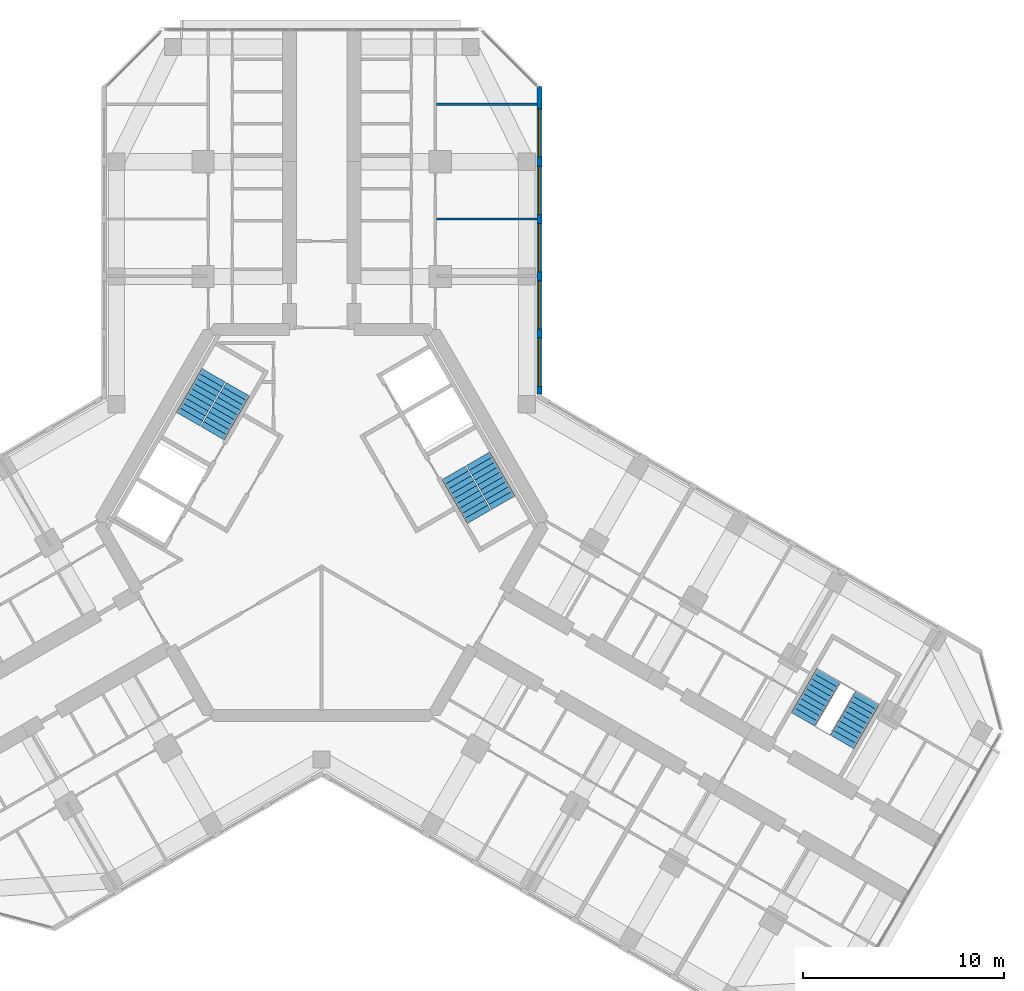
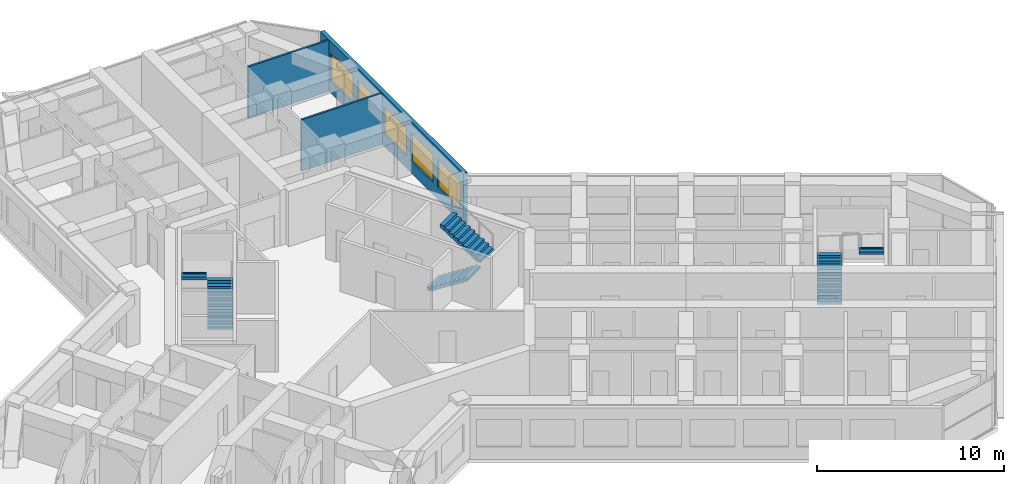
# One storey, part 15 of 16: 6 stair flights, 5 windows, 3 walls, 5 openings, 3 elements without a shape of their own.
"""IFC4 building model written with IfcOpenShell, lengths in metres."""

from ifc_helpers import new_model, si_unit, direction, frame, frame_2d, origin, place, context, subcontext, project, spatial, polyline, rectangle, outline, extrude, material, layer, layer_set, type_object, element, fill, aggregate, save


model = new_model("IFC4")

# Units and contexts
model_context = context("Model", 3, precision=1e-05, world=origin(), true_north=direction((0.0, 1.0)))
body_context = subcontext(model_context, "Body", "Model", "MODEL_VIEW")
ifc_project = project(units=[si_unit("LENGTHUNIT", "METRE"), si_unit("AREAUNIT", "SQUARE_METRE"), si_unit("VOLUMEUNIT", "CUBIC_METRE"), si_unit("PLANEANGLEUNIT", "RADIAN"), si_unit("MASSUNIT", "GRAM", prefix="KILO")], contexts=[model_context])

# Site, building, storey
site_placement = place(None, origin())
site = spatial("IfcSite", under=ifc_project, at=site_placement, CompositionType="ELEMENT")
building_placement = place(site_placement, origin())
building = spatial("IfcBuilding", under=site, at=building_placement, Name="Kosmar Iwan School Tower", CompositionType="ELEMENT")
storey_placement = place(building_placement, frame((0.0, 0.0, 231.60009765625)))
storey = spatial("IfcBuildingStorey", under=building, at=storey_placement, Name="L58", CompositionType="ELEMENT", Elevation=231.60009765625)

# Walls
ifc_material_1 = material(Name="Gypsum board on steel studs", Category="steel")
ifc_layer_1 = layer(ifc_material_1, 0.1201171875)
ifc_layer_set_1 = layer_set([ifc_layer_1], Name="Dwelling partition 120")
wall_type_1 = type_object("IfcWallType", Name="Dwelling partition 120", PredefinedType="PARTITIONING", material=ifc_layer_set_1)
for number, where, z_axis, x_axis, name in (
    (1, (5.7099609375, 15.10009765625, 0.0), (0.0, 0.0, 1.0), (1.0, 0.0, 0.0), "Partition L58-AR1-X2"),
    (2, (5.7099609375, 20.800048828125, 0.0), (0.0, 0.0, 1.0), (1.0, 0.0, 0.0), "Partition L58-AR1-X3"),
):
    element("IfcWall", number, at=place(storey_placement, frame(where, z_axis=z_axis, x_axis=x_axis)), inside=storey, type_object=wall_type_1, Name=name, PredefinedType="PARTITIONING", context=body_context, shape_type="SweptSolid", body=[
        extrude(rectangle(XDim=4.989990234375, YDim=0.1201171875, at=frame_2d((2.4951171875, 0.0))), origin(), (0.0, 0.0, 1.0), 3.349853515625),
    ])

# Wall, openings, windows
ifc_material_2 = material(Name="Black aluminium rainscreen on insulated framing", Category="aluminium")
ifc_layer_2 = layer(ifc_material_2, 0.25)
ifc_layer_set_2 = layer_set([ifc_layer_2], Name="External wall rainscreen 250")
wall_type_2 = type_object("IfcWallType", Name="External wall rainscreen 250", PredefinedType="SOLIDWALL", material=ifc_layer_set_2)
wall_placement = place(storey_placement, frame((10.824951171875, 6.408935546875, 0.0), z_axis=(0.0, 0.0, 1.0), x_axis=(0.0, 1.0, 0.0)))
wall = element("IfcWall", 3, at=wall_placement, inside=storey, type_object=wall_type_2, Name="External wall AR L58", PredefinedType="SOLIDWALL", context=body_context, shape_type="SweptSolid", body=[
    extrude(rectangle(XDim=15.2763671875, YDim=0.25, at=frame_2d((7.63818359375, 0.0))), origin(), (0.0, 0.0, 1.0), 3.349853515625),
])
opening_1_placement = place(wall_placement, frame((0.365966796875, 0.0, 0.800048828125)))
opening_1 = element("IfcOpeningElement", 4, at=opening_1_placement, cuts=wall, Name="Opening W5", PredefinedType="OPENING", context=body_context, shape_type="SweptSolid", body=[
    extrude(rectangle(XDim=2.39990234375, YDim=1.800048828125, at=frame_2d((1.199951171875, 0.89990234375))), frame((0.0, 0.136962890625, 0.0), z_axis=(0.0, -1.0, 0.0), x_axis=(1.0, 0.0, 0.0)), (0.0, 0.0, 1.0), 0.27392578125),
])
opening_2_placement = place(wall_placement, frame((3.216064453125, 0.0, 0.800048828125)))
opening_2 = element("IfcOpeningElement", 5, at=opening_2_placement, cuts=wall, Name="Opening W5", PredefinedType="OPENING", context=body_context, shape_type="SweptSolid", body=[
    extrude(rectangle(XDim=2.39990234375, YDim=1.800048828125, at=frame_2d((1.199951171875, 0.89990234375))), frame((0.0, 0.136962890625, 0.0), z_axis=(0.0, -1.0, 0.0), x_axis=(1.0, 0.0, 0.0)), (0.0, 0.0, 1.0), 0.27392578125),
])
opening_3_placement = place(wall_placement, frame((6.06591796875, 0.0, 0.800048828125)))
opening_3 = element("IfcOpeningElement", 6, at=opening_3_placement, cuts=wall, Name="Opening W5", PredefinedType="OPENING", context=body_context, shape_type="SweptSolid", body=[
    extrude(rectangle(XDim=2.39990234375, YDim=1.800048828125, at=frame_2d((1.199951171875, 0.89990234375))), frame((0.0, 0.136962890625, 0.0), z_axis=(0.0, -1.0, 0.0), x_axis=(1.0, 0.0, 0.0)), (0.0, 0.0, 1.0), 0.27392578125),
])
opening_4_placement = place(wall_placement, frame((8.916015625, 0.0, 0.800048828125)))
opening_4 = element("IfcOpeningElement", 7, at=opening_4_placement, cuts=wall, Name="Opening W5", PredefinedType="OPENING", context=body_context, shape_type="SweptSolid", body=[
    extrude(rectangle(XDim=2.39990234375, YDim=1.800048828125, at=frame_2d((1.199951171875, 0.89990234375))), frame((0.0, 0.136962890625, 0.0), z_axis=(0.0, -1.0, 0.0), x_axis=(1.0, 0.0, 0.0)), (0.0, 0.0, 1.0), 0.27392578125),
])
opening_5_placement = place(wall_placement, frame((11.76611328125, 0.0, 0.800048828125)))
opening_5 = element("IfcOpeningElement", 8, at=opening_5_placement, cuts=wall, Name="Opening W5", PredefinedType="OPENING", context=body_context, shape_type="SweptSolid", body=[
    extrude(rectangle(XDim=2.39990234375, YDim=1.800048828125, at=frame_2d((1.199951171875, 0.89990234375))), frame((0.0, 0.136962890625, 0.0), z_axis=(0.0, -1.0, 0.0), x_axis=(1.0, 0.0, 0.0)), (0.0, 0.0, 1.0), 0.27392578125),
])
ifc_material_3 = material(Name="Black aluminium frame with dark triple glazing", Category="aluminium")
window_type = type_object("IfcWindowType", Name="Window 2400x1800", PartitioningType="SINGLE_PANEL", PredefinedType="WINDOW", material=ifc_material_3)
window_1_placement = place(opening_1_placement, origin())
window_1 = element("IfcWindow", 9, at=window_1_placement, inside=storey, type_object=window_type, Name="Window AR L58 -1", OverallHeight=1.800048828125, OverallWidth=2.39990234375, PartitioningType="SINGLE_PANEL", PredefinedType="WINDOW", context=body_context, shape_type="SweptSolid", body=[
    extrude(rectangle(XDim=2.39990234375, YDim=1.800048828125, at=frame_2d((1.199951171875, 0.89990234375))), frame((0.0, 0.030029296875, 0.0), z_axis=(0.0, -1.0, 0.0), x_axis=(1.0, 0.0, 0.0)), (0.0, 0.0, 1.0), 0.06005859375),
])
fill(opening_1, window_1)
window_2_placement = place(opening_2_placement, origin())
window_2 = element("IfcWindow", 10, at=window_2_placement, inside=storey, type_object=window_type, Name="Window AR L58 0", OverallHeight=1.800048828125, OverallWidth=2.39990234375, PartitioningType="SINGLE_PANEL", PredefinedType="WINDOW", context=body_context, shape_type="SweptSolid", body=[
    extrude(rectangle(XDim=2.39990234375, YDim=1.800048828125, at=frame_2d((1.199951171875, 0.89990234375))), frame((0.0, 0.030029296875, 0.0), z_axis=(0.0, -1.0, 0.0), x_axis=(1.0, 0.0, 0.0)), (0.0, 0.0, 1.0), 0.06005859375),
])
fill(opening_2, window_2)
window_3_placement = place(opening_3_placement, origin())
window_3 = element("IfcWindow", 11, at=window_3_placement, inside=storey, type_object=window_type, Name="Window AR L58 1", OverallHeight=1.800048828125, OverallWidth=2.39990234375, PartitioningType="SINGLE_PANEL", PredefinedType="WINDOW", context=body_context, shape_type="SweptSolid", body=[
    extrude(rectangle(XDim=2.39990234375, YDim=1.800048828125, at=frame_2d((1.199951171875, 0.89990234375))), frame((0.0, 0.030029296875, 0.0), z_axis=(0.0, -1.0, 0.0), x_axis=(1.0, 0.0, 0.0)), (0.0, 0.0, 1.0), 0.06005859375),
])
fill(opening_3, window_3)
window_4_placement = place(opening_4_placement, origin())
window_4 = element("IfcWindow", 12, at=window_4_placement, inside=storey, type_object=window_type, Name="Window AR L58 2", OverallHeight=1.800048828125, OverallWidth=2.39990234375, PartitioningType="SINGLE_PANEL", PredefinedType="WINDOW", context=body_context, shape_type="SweptSolid", body=[
    extrude(rectangle(XDim=2.39990234375, YDim=1.800048828125, at=frame_2d((1.199951171875, 0.89990234375))), frame((0.0, 0.030029296875, 0.0), z_axis=(0.0, -1.0, 0.0), x_axis=(1.0, 0.0, 0.0)), (0.0, 0.0, 1.0), 0.06005859375),
])
fill(opening_4, window_4)
window_5_placement = place(opening_5_placement, origin())
window_5 = element("IfcWindow", 13, at=window_5_placement, inside=storey, type_object=window_type, Name="Window AR L58 3", OverallHeight=1.800048828125, OverallWidth=2.39990234375, PartitioningType="SINGLE_PANEL", PredefinedType="WINDOW", context=body_context, shape_type="SweptSolid", body=[
    extrude(rectangle(XDim=2.39990234375, YDim=1.800048828125, at=frame_2d((1.199951171875, 0.89990234375))), frame((0.0, 0.030029296875, 0.0), z_axis=(0.0, -1.0, 0.0), x_axis=(1.0, 0.0, 0.0)), (0.0, 0.0, 1.0), 0.06005859375),
])
fill(opening_5, window_5)

# Stair, stair flights
ifc_material_4 = material(Name="Concrete C35/45", Category="concrete")
stair_type_1 = type_object("IfcStairType", Name="Escape stair 3600", PredefinedType="HALF_TURN_STAIR", material=ifc_material_4)
stair_1_placement = place(storey_placement, origin())
stair_1 = element("IfcStair", 14, at=stair_1_placement, inside=storey, type_object=stair_type_1, Name="Stair WS3 L58", PredefinedType="HALF_TURN_STAIR")
ifc_material_5 = material(Name="Concrete C35/45", Category="concrete")
stair_flight_type_1 = type_object("IfcStairFlightType", Name="Escape stair flight 1350", PredefinedType="STRAIGHT", material=ifc_material_5)
stair_flight_1_placement = place(storey_placement, frame((23.94189453125, -9.781494140625, 0.0), z_axis=(0.0, 0.0, 1.0), x_axis=(0.5, 0.866025403784, 0.0)))
stair_flight_1 = element("IfcStairFlight", 15, at=stair_flight_1_placement, type_object=stair_flight_type_1, Name="WS3 flight 1", NumberOfRisers=10, NumberOfTreads=9, PredefinedType="STRAIGHT", RiserHeight=0.18, TreadLength=0.28, context=body_context, shape_type="SweptSolid", body=[
    extrude(outline(polyline([(0.0, 0.0), (0.0, 0.179931640625), (0.280029296875, 0.179931640625), (0.280029296875, 0.360107421875), (0.56005859375, 0.360107421875), (0.56005859375, 0.5400390625), (0.840087890625, 0.5400390625), (0.840087890625, 0.719970703125), (1.1201171875, 0.719970703125), (1.1201171875, 0.89990234375), (1.39990234375, 0.89990234375), (1.39990234375, 1.080078125), (1.679931640625, 1.080078125), (1.679931640625, 1.260009765625), (1.9599609375, 1.260009765625), (1.9599609375, 1.43994140625), (2.239990234375, 1.43994140625), (2.239990234375, 1.6201171875), (2.52001953125, 1.6201171875), (2.52001953125, 1.800048828125), (2.52001953125, 1.44189453125), (0.277099609375, 0.0), (0.0, 0.0)])), frame((0.0, 0.675048828125, 0.0), z_axis=(0.0, -1.0, 0.0), x_axis=(1.0, 0.0, 0.0)), (0.0, 0.0, 1.0), 1.35009765625),
])
stair_flight_2_placement = place(storey_placement, frame((27.150390625, -8.72412109375, 1.7998046875), z_axis=(0.0, 0.0, 1.0), x_axis=(-0.5, -0.866025403784, 0.0)))
stair_flight_2 = element("IfcStairFlight", 16, at=stair_flight_2_placement, type_object=stair_flight_type_1, Name="WS3 flight 2", NumberOfRisers=10, NumberOfTreads=9, PredefinedType="STRAIGHT", RiserHeight=0.18, TreadLength=0.28, context=body_context, shape_type="SweptSolid", body=[
    extrude(outline(polyline([(0.0, 0.0), (0.0, 0.179931640625), (0.280029296875, 0.179931640625), (0.280029296875, 0.360107421875), (0.56005859375, 0.360107421875), (0.56005859375, 0.5400390625), (0.840087890625, 0.5400390625), (0.840087890625, 0.719970703125), (1.1201171875, 0.719970703125), (1.1201171875, 0.89990234375), (1.39990234375, 0.89990234375), (1.39990234375, 1.080078125), (1.679931640625, 1.080078125), (1.679931640625, 1.260009765625), (1.9599609375, 1.260009765625), (1.9599609375, 1.43994140625), (2.239990234375, 1.43994140625), (2.239990234375, 1.6201171875), (2.52001953125, 1.6201171875), (2.52001953125, 1.800048828125), (2.52001953125, 1.44189453125), (0.277099609375, 0.0), (0.0, 0.0)])), frame((0.0, 0.675048828125, 0.0), z_axis=(0.0, -1.0, 0.0), x_axis=(1.0, 0.0, 0.0)), (0.0, 0.0, 1.0), 1.35009765625),
])
aggregate(stair_1, [stair_flight_1, stair_flight_2])

ifc_material_6 = material(Name="Concrete C35/45", Category="concrete")
stair_type_2 = type_object("IfcStairType", Name="Core stair 2750", PredefinedType="HALF_TURN_STAIR", material=ifc_material_6)
stair_2_placement = place(storey_placement, origin())
stair_2 = element("IfcStair", 17, at=stair_2_placement, inside=storey, type_object=stair_type_2, Name="Stair ST2 L58", PredefinedType="HALF_TURN_STAIR")
ifc_material_7 = material(Name="Concrete C35/45", Category="concrete")
stair_flight_type_2 = type_object("IfcStairFlightType", Name="Stair flight 1350", PredefinedType="STRAIGHT", material=ifc_material_7)
stair_flight_3_placement = place(storey_placement, frame((-5.42724609375, 4.44970703125, 0.0), z_axis=(0.0, 0.0, 1.0), x_axis=(0.5, 0.866025403784, 0.0)))
stair_flight_3 = element("IfcStairFlight", 18, at=stair_flight_3_placement, type_object=stair_flight_type_2, Name="ST2 flight 1", NumberOfRisers=10, NumberOfTreads=9, PredefinedType="STRAIGHT", RiserHeight=0.18, TreadLength=0.28, context=body_context, shape_type="SweptSolid", body=[
    extrude(outline(polyline([(0.0, 0.0), (0.0, 0.179931640625), (0.280029296875, 0.179931640625), (0.280029296875, 0.360107421875), (0.56005859375, 0.360107421875), (0.56005859375, 0.5400390625), (0.840087890625, 0.5400390625), (0.840087890625, 0.719970703125), (1.1201171875, 0.719970703125), (1.1201171875, 0.89990234375), (1.39990234375, 0.89990234375), (1.39990234375, 1.080078125), (1.679931640625, 1.080078125), (1.679931640625, 1.260009765625), (1.9599609375, 1.260009765625), (1.9599609375, 1.43994140625), (2.239990234375, 1.43994140625), (2.239990234375, 1.6201171875), (2.52001953125, 1.6201171875), (2.52001953125, 1.800048828125), (2.52001953125, 1.44189453125), (0.277099609375, 0.0), (0.0, 0.0)])), frame((0.0, 0.675048828125, 0.0), z_axis=(0.0, -1.0, 0.0), x_axis=(1.0, 0.0, 0.0)), (0.0, 0.0, 1.0), 1.35009765625),
])
stair_flight_4_placement = place(storey_placement, frame((-5.379638671875, 7.33203125, 1.7998046875), z_axis=(0.0, 0.0, 1.0), x_axis=(-0.5, -0.866025403784, 0.0)))
stair_flight_4 = element("IfcStairFlight", 19, at=stair_flight_4_placement, type_object=stair_flight_type_2, Name="ST2 flight 2", NumberOfRisers=10, NumberOfTreads=9, PredefinedType="STRAIGHT", RiserHeight=0.18, TreadLength=0.28, context=body_context, shape_type="SweptSolid", body=[
    extrude(outline(polyline([(0.0, 0.0), (0.0, 0.179931640625), (0.280029296875, 0.179931640625), (0.280029296875, 0.360107421875), (0.56005859375, 0.360107421875), (0.56005859375, 0.5400390625), (0.840087890625, 0.5400390625), (0.840087890625, 0.719970703125), (1.1201171875, 0.719970703125), (1.1201171875, 0.89990234375), (1.39990234375, 0.89990234375), (1.39990234375, 1.080078125), (1.679931640625, 1.080078125), (1.679931640625, 1.260009765625), (1.9599609375, 1.260009765625), (1.9599609375, 1.43994140625), (2.239990234375, 1.43994140625), (2.239990234375, 1.6201171875), (2.52001953125, 1.6201171875), (2.52001953125, 1.800048828125), (2.52001953125, 1.44189453125), (0.277099609375, 0.0), (0.0, 0.0)])), frame((0.0, 0.675048828125, 0.0), z_axis=(0.0, -1.0, 0.0), x_axis=(1.0, 0.0, 0.0)), (0.0, 0.0, 1.0), 1.35009765625),
])
aggregate(stair_2, [stair_flight_3, stair_flight_4])

stair_3_placement = place(storey_placement, origin())
stair_3 = element("IfcStair", 20, at=stair_3_placement, inside=storey, type_object=stair_type_2, Name="Stair ST1 L58", PredefinedType="HALF_TURN_STAIR")
stair_flight_5_placement = place(storey_placement, frame((6.567138671875, 2.475341796875, 0.0), z_axis=(0.0, 0.0, 1.0), x_axis=(0.5, -0.866025403784, 0.0)))
stair_flight_5 = element("IfcStairFlight", 21, at=stair_flight_5_placement, type_object=stair_flight_type_2, Name="ST1 flight 1", NumberOfRisers=10, NumberOfTreads=9, PredefinedType="STRAIGHT", RiserHeight=0.18, TreadLength=0.28, context=body_context, shape_type="SweptSolid", body=[
    extrude(outline(polyline([(0.0, 0.0), (0.0, 0.179931640625), (0.280029296875, 0.179931640625), (0.280029296875, 0.360107421875), (0.56005859375, 0.360107421875), (0.56005859375, 0.5400390625), (0.840087890625, 0.5400390625), (0.840087890625, 0.719970703125), (1.1201171875, 0.719970703125), (1.1201171875, 0.89990234375), (1.39990234375, 0.89990234375), (1.39990234375, 1.080078125), (1.679931640625, 1.080078125), (1.679931640625, 1.260009765625), (1.9599609375, 1.260009765625), (1.9599609375, 1.43994140625), (2.239990234375, 1.43994140625), (2.239990234375, 1.6201171875), (2.52001953125, 1.6201171875), (2.52001953125, 1.800048828125), (2.52001953125, 1.44189453125), (0.277099609375, 0.0), (0.0, 0.0)])), frame((0.0, 0.675048828125, 0.0), z_axis=(0.0, -1.0, 0.0), x_axis=(1.0, 0.0, 0.0)), (0.0, 0.0, 1.0), 1.35009765625),
])
stair_flight_6_placement = place(storey_placement, frame((9.03955078125, 0.992919921875, 1.7998046875), z_axis=(0.0, 0.0, 1.0), x_axis=(-0.5, 0.866025403784, 0.0)))
stair_flight_6 = element("IfcStairFlight", 22, at=stair_flight_6_placement, type_object=stair_flight_type_2, Name="ST1 flight 2", NumberOfRisers=10, NumberOfTreads=9, PredefinedType="STRAIGHT", RiserHeight=0.18, TreadLength=0.28, context=body_context, shape_type="SweptSolid", body=[
    extrude(outline(polyline([(0.0, 0.0), (0.0, 0.179931640625), (0.280029296875, 0.179931640625), (0.280029296875, 0.360107421875), (0.56005859375, 0.360107421875), (0.56005859375, 0.5400390625), (0.840087890625, 0.5400390625), (0.840087890625, 0.719970703125), (1.1201171875, 0.719970703125), (1.1201171875, 0.89990234375), (1.39990234375, 0.89990234375), (1.39990234375, 1.080078125), (1.679931640625, 1.080078125), (1.679931640625, 1.260009765625), (1.9599609375, 1.260009765625), (1.9599609375, 1.43994140625), (2.239990234375, 1.43994140625), (2.239990234375, 1.6201171875), (2.52001953125, 1.6201171875), (2.52001953125, 1.800048828125), (2.52001953125, 1.44189453125), (0.277099609375, 0.0), (0.0, 0.0)])), frame((0.0, 0.675048828125, 0.0), z_axis=(0.0, -1.0, 0.0), x_axis=(1.0, 0.0, 0.0)), (0.0, 0.0, 1.0), 1.35009765625),
])
aggregate(stair_3, [stair_flight_5, stair_flight_6])

save(model, "model.ifc")
